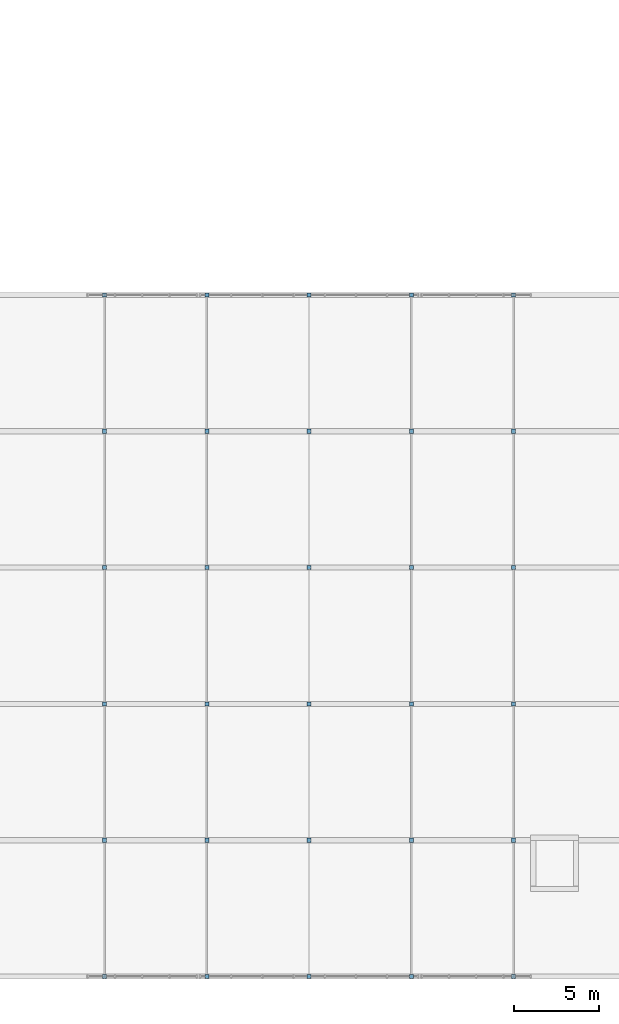
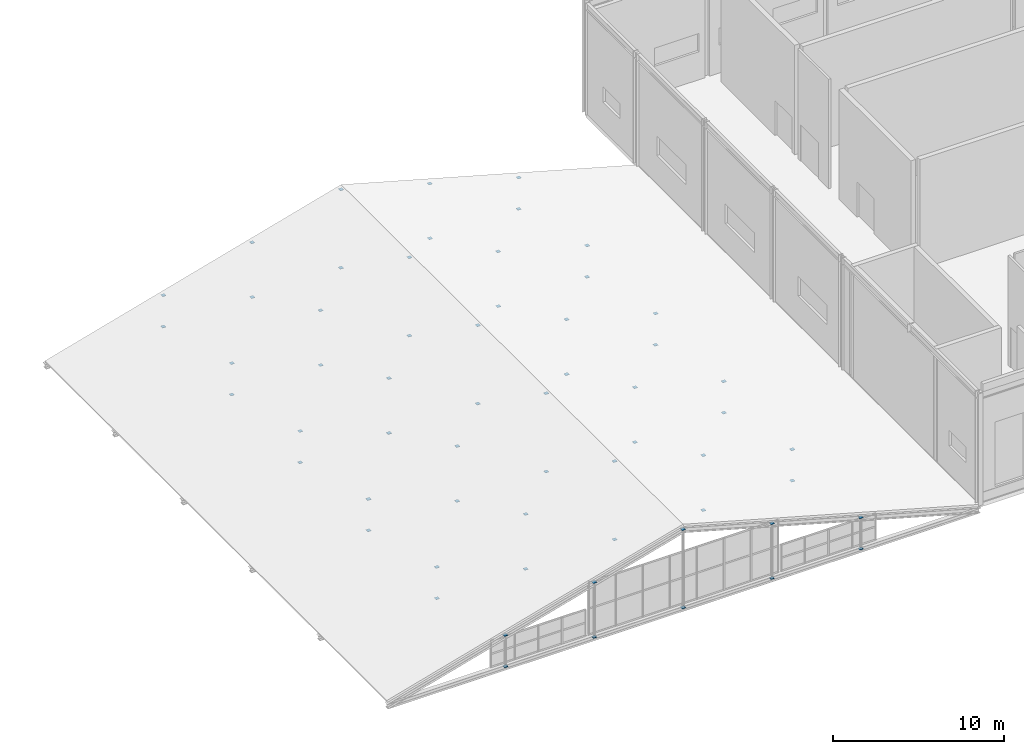
# One storey, part 45 of 49: 60 discrete accessories.
"""IFC4 building model written with IfcOpenShell, lengths in metres."""

from ifc_helpers import new_model, si_unit, direction, frame, origin, origin_2d, place, context, subcontext, project, spatial, rectangle, extrude, material, type_object, element, save


model = new_model("IFC4")

# Units and contexts
model_context = context("Model", 3, precision=1e-05, world=origin(), true_north=direction((0.0, 1.0)))
body_context = subcontext(model_context, "Body", "Model", "MODEL_VIEW")
ifc_project = project(units=[si_unit("LENGTHUNIT", "METRE"), si_unit("AREAUNIT", "SQUARE_METRE"), si_unit("VOLUMEUNIT", "CUBIC_METRE"), si_unit("PLANEANGLEUNIT", "RADIAN"), si_unit("MASSUNIT", "GRAM", prefix="KILO")], contexts=[model_context])

# Site, building, storey
site_placement = place(None, origin())
site = spatial("IfcSite", under=ifc_project, at=site_placement, CompositionType="ELEMENT")
building_placement = place(site_placement, origin())
building = spatial("IfcBuilding", under=site, at=building_placement, Name="Sundkrona Museum", CompositionType="ELEMENT")
storey_placement = place(building_placement, frame((0.0, 0.0, 26.0)))
storey = spatial("IfcBuildingStorey", under=building, at=storey_placement, Name="L05", CompositionType="ELEMENT", Elevation=26.0)

# Discrete accessories
ifc_material = material(Name="Stainless Steel EN 1.4404 Cleat", Category="steel")
discrete_accessory_type = type_object("IfcDiscreteAccessoryType", Name="BRK-FIN-01", PredefinedType="BRACKET", material=ifc_material)
for number, where, z_axis, x_axis, name in (
    (1, (88.0, 0.0, -0.412353515625), (0.0, 0.0, 1.0), (1.0, 0.0, 0.0), "Brace and Strut End Connection Plate ATR-TR1-WB-88-1"),
    (2, (88.0, 0.0, 1.8251953125), (0.0, 0.0, 1.0), (1.0, 0.0, 0.0), "Brace and Strut End Connection Plate ATR-TR1-WB-88-2"),
    (3, (94.0, 0.0, -0.412353515625), (0.0, 0.0, 1.0), (1.0, 0.0, 0.0), "Brace and Strut End Connection Plate ATR-TR1-WB-94-1"),
    (4, (94.0, 0.0, 3.50341796875), (0.0, 0.0, 1.0), (1.0, 0.0, 0.0), "Brace and Strut End Connection Plate ATR-TR1-WB-94-2"),
    (5, (100.0, 0.0, -0.412353515625), (0.0, 0.0, 1.0), (1.0, 0.0, 0.0), "Brace and Strut End Connection Plate ATR-TR1-WB-100-1"),
    (6, (100.0, 0.0, 5.181640625), (0.0, 0.0, 1.0), (1.0, 0.0, 0.0), "Brace and Strut End Connection Plate ATR-TR1-WB-100-2"),
    (7, (106.0, 0.0, -0.412353515625), (0.0, 0.0, 1.0), (1.0, 0.0, 0.0), "Brace and Strut End Connection Plate ATR-TR1-WB-106-1"),
    (8, (106.0, 0.0, 3.50341796875), (0.0, 0.0, 1.0), (1.0, 0.0, 0.0), "Brace and Strut End Connection Plate ATR-TR1-WB-106-2"),
    (9, (112.0, 0.0, -0.412353515625), (0.0, 0.0, 1.0), (1.0, 0.0, 0.0), "Brace and Strut End Connection Plate ATR-TR1-WB-112-1"),
    (10, (112.0, 0.0, 1.8251953125), (0.0, 0.0, 1.0), (1.0, 0.0, 0.0), "Brace and Strut End Connection Plate ATR-TR1-WB-112-2"),
    (11, (88.0, 8.0, -0.412353515625), (0.0, 0.0, 1.0), (1.0, 0.0, 0.0), "Brace and Strut End Connection Plate ATR-TR2-WB-88-1"),
    (12, (88.0, 8.0, 1.8251953125), (0.0, 0.0, 1.0), (1.0, 0.0, 0.0), "Brace and Strut End Connection Plate ATR-TR2-WB-88-2"),
    (13, (94.0, 8.0, -0.412353515625), (0.0, 0.0, 1.0), (1.0, 0.0, 0.0), "Brace and Strut End Connection Plate ATR-TR2-WB-94-1"),
    (14, (94.0, 8.0, 3.50341796875), (0.0, 0.0, 1.0), (1.0, 0.0, 0.0), "Brace and Strut End Connection Plate ATR-TR2-WB-94-2"),
    (15, (100.0, 8.0, -0.412353515625), (0.0, 0.0, 1.0), (1.0, 0.0, 0.0), "Brace and Strut End Connection Plate ATR-TR2-WB-100-1"),
    (16, (100.0, 8.0, 5.181640625), (0.0, 0.0, 1.0), (1.0, 0.0, 0.0), "Brace and Strut End Connection Plate ATR-TR2-WB-100-2"),
    (17, (106.0, 8.0, -0.412353515625), (0.0, 0.0, 1.0), (1.0, 0.0, 0.0), "Brace and Strut End Connection Plate ATR-TR2-WB-106-1"),
    (18, (106.0, 8.0, 3.50341796875), (0.0, 0.0, 1.0), (1.0, 0.0, 0.0), "Brace and Strut End Connection Plate ATR-TR2-WB-106-2"),
    (19, (112.0, 8.0, -0.412353515625), (0.0, 0.0, 1.0), (1.0, 0.0, 0.0), "Brace and Strut End Connection Plate ATR-TR2-WB-112-1"),
    (20, (112.0, 8.0, 1.8251953125), (0.0, 0.0, 1.0), (1.0, 0.0, 0.0), "Brace and Strut End Connection Plate ATR-TR2-WB-112-2"),
    (21, (88.0, 16.0, -0.412353515625), (0.0, 0.0, 1.0), (1.0, 0.0, 0.0), "Brace and Strut End Connection Plate ATR-TR3-WB-88-1"),
    (22, (88.0, 16.0, 1.8251953125), (0.0, 0.0, 1.0), (1.0, 0.0, 0.0), "Brace and Strut End Connection Plate ATR-TR3-WB-88-2"),
    (23, (94.0, 16.0, -0.412353515625), (0.0, 0.0, 1.0), (1.0, 0.0, 0.0), "Brace and Strut End Connection Plate ATR-TR3-WB-94-1"),
    (24, (94.0, 16.0, 3.50341796875), (0.0, 0.0, 1.0), (1.0, 0.0, 0.0), "Brace and Strut End Connection Plate ATR-TR3-WB-94-2"),
    (25, (100.0, 16.0, -0.412353515625), (0.0, 0.0, 1.0), (1.0, 0.0, 0.0), "Brace and Strut End Connection Plate ATR-TR3-WB-100-1"),
    (26, (100.0, 16.0, 5.181640625), (0.0, 0.0, 1.0), (1.0, 0.0, 0.0), "Brace and Strut End Connection Plate ATR-TR3-WB-100-2"),
    (27, (106.0, 16.0, -0.412353515625), (0.0, 0.0, 1.0), (1.0, 0.0, 0.0), "Brace and Strut End Connection Plate ATR-TR3-WB-106-1"),
    (28, (106.0, 16.0, 3.50341796875), (0.0, 0.0, 1.0), (1.0, 0.0, 0.0), "Brace and Strut End Connection Plate ATR-TR3-WB-106-2"),
    (29, (112.0, 16.0, -0.412353515625), (0.0, 0.0, 1.0), (1.0, 0.0, 0.0), "Brace and Strut End Connection Plate ATR-TR3-WB-112-1"),
    (30, (112.0, 16.0, 1.8251953125), (0.0, 0.0, 1.0), (1.0, 0.0, 0.0), "Brace and Strut End Connection Plate ATR-TR3-WB-112-2"),
    (31, (88.0, 24.0, -0.412353515625), (0.0, 0.0, 1.0), (1.0, 0.0, 0.0), "Brace and Strut End Connection Plate ATR-TR4-WB-88-1"),
    (32, (88.0, 24.0, 1.8251953125), (0.0, 0.0, 1.0), (1.0, 0.0, 0.0), "Brace and Strut End Connection Plate ATR-TR4-WB-88-2"),
    (33, (94.0, 24.0, -0.412353515625), (0.0, 0.0, 1.0), (1.0, 0.0, 0.0), "Brace and Strut End Connection Plate ATR-TR4-WB-94-1"),
    (34, (94.0, 24.0, 3.50341796875), (0.0, 0.0, 1.0), (1.0, 0.0, 0.0), "Brace and Strut End Connection Plate ATR-TR4-WB-94-2"),
    (35, (100.0, 24.0, -0.412353515625), (0.0, 0.0, 1.0), (1.0, 0.0, 0.0), "Brace and Strut End Connection Plate ATR-TR4-WB-100-1"),
    (36, (100.0, 24.0, 5.181640625), (0.0, 0.0, 1.0), (1.0, 0.0, 0.0), "Brace and Strut End Connection Plate ATR-TR4-WB-100-2"),
    (37, (106.0, 24.0, -0.412353515625), (0.0, 0.0, 1.0), (1.0, 0.0, 0.0), "Brace and Strut End Connection Plate ATR-TR4-WB-106-1"),
    (38, (106.0, 24.0, 3.50341796875), (0.0, 0.0, 1.0), (1.0, 0.0, 0.0), "Brace and Strut End Connection Plate ATR-TR4-WB-106-2"),
    (39, (112.0, 24.0, -0.412353515625), (0.0, 0.0, 1.0), (1.0, 0.0, 0.0), "Brace and Strut End Connection Plate ATR-TR4-WB-112-1"),
    (40, (112.0, 24.0, 1.8251953125), (0.0, 0.0, 1.0), (1.0, 0.0, 0.0), "Brace and Strut End Connection Plate ATR-TR4-WB-112-2"),
    (41, (88.0, 32.0, -0.412353515625), (0.0, 0.0, 1.0), (1.0, 0.0, 0.0), "Brace and Strut End Connection Plate ATR-TR5-WB-88-1"),
    (42, (88.0, 32.0, 1.8251953125), (0.0, 0.0, 1.0), (1.0, 0.0, 0.0), "Brace and Strut End Connection Plate ATR-TR5-WB-88-2"),
    (43, (94.0, 32.0, -0.412353515625), (0.0, 0.0, 1.0), (1.0, 0.0, 0.0), "Brace and Strut End Connection Plate ATR-TR5-WB-94-1"),
    (44, (94.0, 32.0, 3.50341796875), (0.0, 0.0, 1.0), (1.0, 0.0, 0.0), "Brace and Strut End Connection Plate ATR-TR5-WB-94-2"),
    (45, (100.0, 32.0, -0.412353515625), (0.0, 0.0, 1.0), (1.0, 0.0, 0.0), "Brace and Strut End Connection Plate ATR-TR5-WB-100-1"),
    (46, (100.0, 32.0, 5.181640625), (0.0, 0.0, 1.0), (1.0, 0.0, 0.0), "Brace and Strut End Connection Plate ATR-TR5-WB-100-2"),
    (47, (106.0, 32.0, -0.412353515625), (0.0, 0.0, 1.0), (1.0, 0.0, 0.0), "Brace and Strut End Connection Plate ATR-TR5-WB-106-1"),
    (48, (106.0, 32.0, 3.50341796875), (0.0, 0.0, 1.0), (1.0, 0.0, 0.0), "Brace and Strut End Connection Plate ATR-TR5-WB-106-2"),
    (49, (112.0, 32.0, -0.412353515625), (0.0, 0.0, 1.0), (1.0, 0.0, 0.0), "Brace and Strut End Connection Plate ATR-TR5-WB-112-1"),
    (50, (112.0, 32.0, 1.8251953125), (0.0, 0.0, 1.0), (1.0, 0.0, 0.0), "Brace and Strut End Connection Plate ATR-TR5-WB-112-2"),
    (51, (88.0, 40.0, -0.412353515625), (0.0, 0.0, 1.0), (1.0, 0.0, 0.0), "Brace and Strut End Connection Plate ATR-TR6-WB-88-1"),
    (52, (88.0, 40.0, 1.8251953125), (0.0, 0.0, 1.0), (1.0, 0.0, 0.0), "Brace and Strut End Connection Plate ATR-TR6-WB-88-2"),
    (53, (94.0, 40.0, -0.412353515625), (0.0, 0.0, 1.0), (1.0, 0.0, 0.0), "Brace and Strut End Connection Plate ATR-TR6-WB-94-1"),
    (54, (94.0, 40.0, 3.50341796875), (0.0, 0.0, 1.0), (1.0, 0.0, 0.0), "Brace and Strut End Connection Plate ATR-TR6-WB-94-2"),
    (55, (100.0, 40.0, -0.412353515625), (0.0, 0.0, 1.0), (1.0, 0.0, 0.0), "Brace and Strut End Connection Plate ATR-TR6-WB-100-1"),
    (56, (100.0, 40.0, 5.181640625), (0.0, 0.0, 1.0), (1.0, 0.0, 0.0), "Brace and Strut End Connection Plate ATR-TR6-WB-100-2"),
    (57, (106.0, 40.0, -0.412353515625), (0.0, 0.0, 1.0), (1.0, 0.0, 0.0), "Brace and Strut End Connection Plate ATR-TR6-WB-106-1"),
    (58, (106.0, 40.0, 3.50341796875), (0.0, 0.0, 1.0), (1.0, 0.0, 0.0), "Brace and Strut End Connection Plate ATR-TR6-WB-106-2"),
    (59, (112.0, 40.0, -0.412353515625), (0.0, 0.0, 1.0), (1.0, 0.0, 0.0), "Brace and Strut End Connection Plate ATR-TR6-WB-112-1"),
    (60, (112.0, 40.0, 1.8251953125), (0.0, 0.0, 1.0), (1.0, 0.0, 0.0), "Brace and Strut End Connection Plate ATR-TR6-WB-112-2"),
):
    element("IfcDiscreteAccessory", number, at=place(storey_placement, frame(where, z_axis=z_axis, x_axis=x_axis)), inside=storey, type_object=discrete_accessory_type, Name=name, PredefinedType="BRACKET", context=body_context, shape_type="SweptSolid", body=[
        extrude(rectangle(XDim=0.239990234375, YDim=0.239990234375, at=origin_2d()), origin(), (0.0, 0.0, 1.0), 0.02490234375),
    ])

save(model, "model.ifc")
